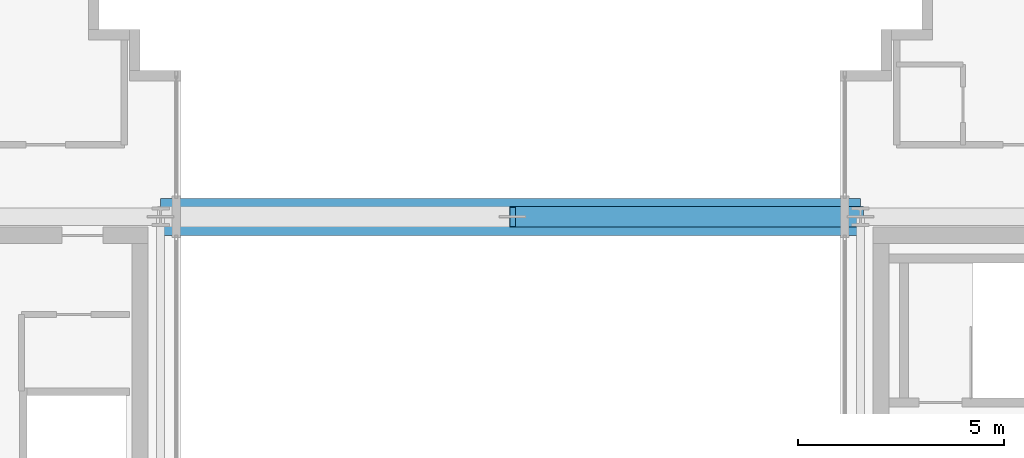
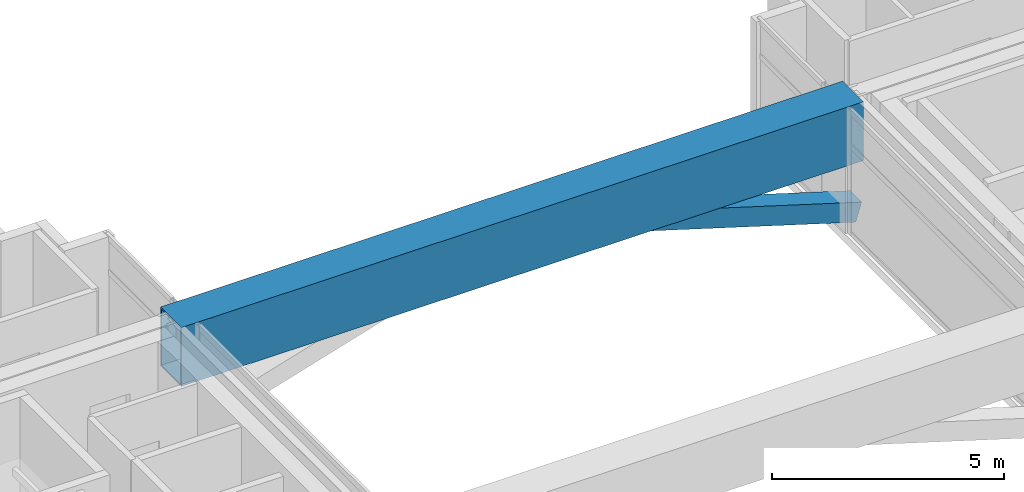
# One storey, part 10 of 28: 1 beam, 1 member.
"""IFC4 building model written with IfcOpenShell, lengths in metres."""

from ifc_helpers import new_model, si_unit, direction, frame, origin, origin_2d, place, context, subcontext, project, spatial, hollow_rectangle, extrude, source, transform, mapped, material, material_profile, profile_set, type_object, element, save


model = new_model("IFC4")

# Units and contexts
model_context = context("Model", 3, precision=1e-05, world=origin(), true_north=direction((0.0, 1.0)))
body_context = subcontext(model_context, "Body", "Model", "MODEL_VIEW")
ifc_project = project(units=[si_unit("LENGTHUNIT", "METRE"), si_unit("AREAUNIT", "SQUARE_METRE"), si_unit("VOLUMEUNIT", "CUBIC_METRE"), si_unit("PLANEANGLEUNIT", "RADIAN"), si_unit("MASSUNIT", "GRAM", prefix="KILO")], contexts=[model_context])

# Site, building, storey
site_placement = place(None, origin())
site = spatial("IfcSite", under=ifc_project, at=site_placement, CompositionType="ELEMENT")
building_placement = place(site_placement, origin())
building = spatial("IfcBuilding", under=site, at=building_placement, Name="Ocotamira Hotel", CompositionType="ELEMENT")
storey_placement = place(building_placement, frame((0.0, 0.0, 268.800048828125)))
storey = spatial("IfcBuildingStorey", under=building, at=storey_placement, Name="L68", CompositionType="ELEMENT", Elevation=268.800048828125)

# Beam
ifc_material = material(Name="Steel ASTM A913 Grade 65", Category="steel")
ifc_material_profile_1 = material_profile(ifc_material, hollow_rectangle(XDim=0.89990234375, YDim=1.550048828125, WallThickness=0.0400390625, at=origin_2d()), Name="BOX900X1550X40")
ifc_profile_set_1 = profile_set([ifc_material_profile_1], Name="Steel ASTM A913 Grade 65")
beam_type = type_object("IfcBeamType", Name="BM-XFER-BOX1550", PredefinedType="BEAM", material=ifc_profile_set_1)
shared_shape_1 = source(origin(), body_context, "Body", "SweptSolid", [
    extrude(hollow_rectangle(XDim=0.89990234375, YDim=1.550048828125, WallThickness=0.0400390625, at=origin_2d()), origin(), (0.0, 0.0, 1.0), 17.0),
])
beam_placement = place(storey_placement, frame((23.5, 37.449951171875, 2.5048828125), z_axis=(1.0, 0.0, 0.0), x_axis=(0.0, 1.0, 0.0)))
element("IfcBeam", 1, at=beam_placement, inside=storey, type_object=beam_type, Name="L68 Girder Y37.45 X23.5-40.5", PredefinedType="BEAM", context=body_context, shape_type="MappedRepresentation", body=[
    mapped(shared_shape_1, transform((0.0, 0.0, 0.0), scale=1.0)),
])

# Member
ifc_material_profile_2 = material_profile(ifc_material, hollow_rectangle(XDim=0.5, YDim=0.5, WallThickness=0.02001953125, at=origin_2d()), Name="HSS500X500X20")
ifc_profile_set_2 = profile_set([ifc_material_profile_2], Name="Steel ASTM A913 Grade 65")
member_type = type_object("IfcMemberType", Name="MEM-OUT-HSS500", PredefinedType="BRACE", material=ifc_profile_set_2)
shared_shape_2 = source(origin(), body_context, "Body", "SweptSolid", [
    extrude(hollow_rectangle(XDim=0.5, YDim=0.5, WallThickness=0.02001953125, at=origin_2d()), origin(), (0.0, 0.0, 1.0), 8.8349609375),
])
member_placement = place(storey_placement, frame((40.5, 37.449951171875, 0.25), z_axis=(-0.956417831382, 0.0, 0.292001595568), x_axis=(0.0, -1.0, 0.0)))
element("IfcMember", 2, at=member_placement, inside=storey, type_object=member_type, Name="L68 Peak Transfer Truss Web 2 Y37", PredefinedType="BRACE", context=body_context, shape_type="MappedRepresentation", body=[
    mapped(shared_shape_2, transform((0.0, 0.0, 0.0), scale=1.0)),
])

save(model, "model.ifc")
